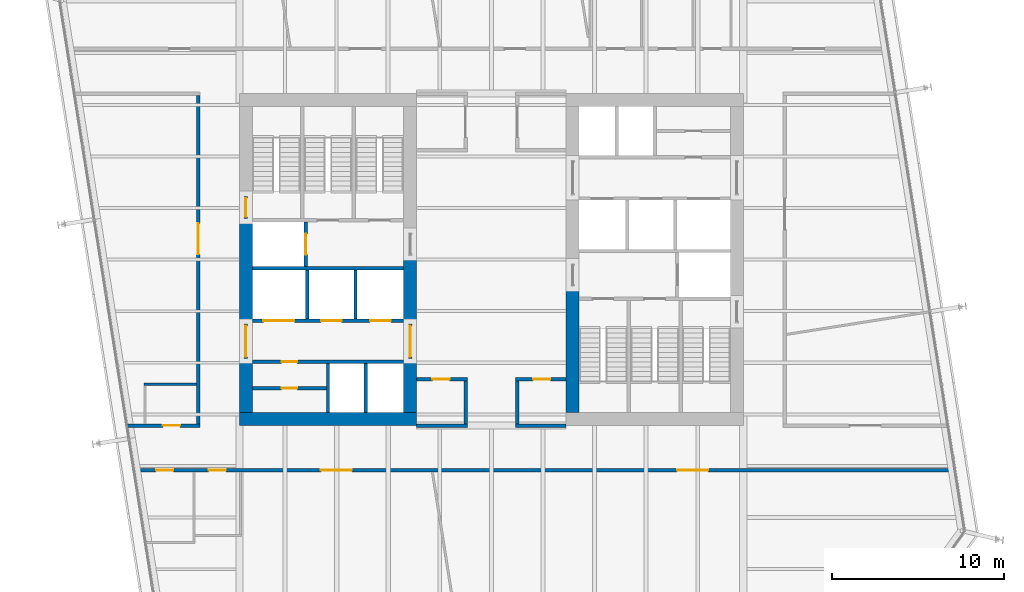
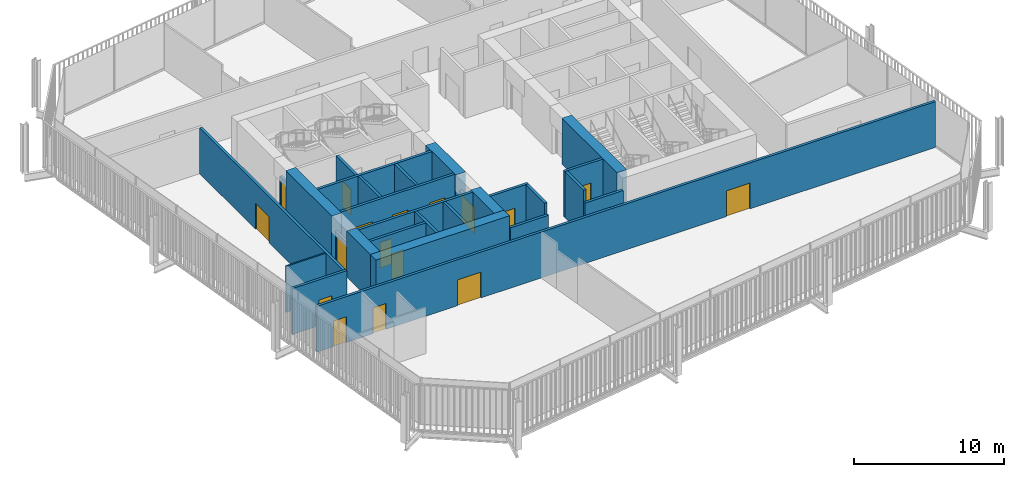
# One storey, part 17 of 21: 28 walls, 17 doors, 17 openings.
"""IFC4 building model written with IfcOpenShell, lengths in metres."""

from ifc_helpers import new_model, si_unit, direction, frame, frame_2d, origin, place, context, subcontext, project, spatial, rectangle, extrude, material, layer, layer_set, type_object, element, fill, save


model = new_model("IFC4")

# Units and contexts
model_context = context("Model", 3, precision=1e-05, world=origin(), true_north=direction((0.0, 1.0)))
body_context = subcontext(model_context, "Body", "Model", "MODEL_VIEW")
ifc_project = project(units=[si_unit("LENGTHUNIT", "METRE"), si_unit("AREAUNIT", "SQUARE_METRE"), si_unit("VOLUMEUNIT", "CUBIC_METRE"), si_unit("PLANEANGLEUNIT", "RADIAN"), si_unit("MASSUNIT", "GRAM", prefix="KILO")], contexts=[model_context])

# Site, building, storey
site_placement = place(None, origin())
site = spatial("IfcSite", under=ifc_project, at=site_placement, CompositionType="ELEMENT")
building_placement = place(site_placement, origin())
building = spatial("IfcBuilding", under=site, at=building_placement, Name="Millrace Tower", CompositionType="ELEMENT")
storey_placement = place(building_placement, frame((0.0, 0.0, 156.800048828125)))
storey = spatial("IfcBuildingStorey", under=building, at=storey_placement, Name="L35", CompositionType="ELEMENT", Elevation=156.800048828125)

# Walls
ifc_material_1 = material(Name="Concrete C70", Category="concrete")
ifc_layer_1 = layer(ifc_material_1, 0.75)
ifc_layer_set_1 = layer_set([ifc_layer_1], Name="Concrete C70")
wall_type_1 = type_object("IfcWallType", Name="Core wall 750 Concrete C70", PredefinedType="SHEAR", material=ifc_layer_set_1)
wall_1_placement = place(storey_placement, frame((-14.64990234375, -9.27490234375, 0.0), z_axis=(0.0, 0.0, 1.0), x_axis=(1.0, 0.0, 0.0)))
element("IfcWall", 1, at=wall_1_placement, inside=storey, type_object=wall_type_1, Name="Core wall W L35", PredefinedType="SHEAR", context=body_context, shape_type="SweptSolid", body=[
    extrude(rectangle(XDim=10.2998046875, YDim=0.75, at=frame_2d((5.14990234375, 0.0))), origin(), (0.0, 0.0, 1.0), 3.739990234375),
])
wall_2_placement = place(storey_placement, frame((-14.27490234375, -8.89990234375, 0.0), z_axis=(0.0, 0.0, 1.0), x_axis=(0.0, 1.0, 0.0)))
element("IfcWall", 2, at=wall_2_placement, inside=storey, type_object=wall_type_1, Name="Core wall W L35", PredefinedType="SHEAR", context=body_context, shape_type="SweptSolid", body=[
    extrude(rectangle(XDim=3.14990234375, YDim=0.75, at=frame_2d((1.574951171875, 0.0))), origin(), (0.0, 0.0, 1.0), 3.739990234375),
])
wall_3_placement = place(storey_placement, frame((-14.27490234375, -3.75, 0.0), z_axis=(0.0, 0.0, 1.0), x_axis=(0.0, 1.0, 0.0)))
element("IfcWall", 3, at=wall_3_placement, inside=storey, type_object=wall_type_1, Name="Core wall W L35", PredefinedType="SHEAR", context=body_context, shape_type="SweptSolid", body=[
    extrude(rectangle(XDim=6.1298828125, YDim=0.75, at=frame_2d((3.06494140625, 0.0))), origin(), (0.0, 0.0, 1.0), 3.739990234375),
])
wall_4_placement = place(storey_placement, frame((-4.72509765625, -8.89990234375, 0.0), z_axis=(0.0, 0.0, 1.0), x_axis=(0.0, 1.0, 0.0)))
element("IfcWall", 4, at=wall_4_placement, inside=storey, type_object=wall_type_1, Name="Core wall W L35", PredefinedType="SHEAR", context=body_context, shape_type="SweptSolid", body=[
    extrude(rectangle(XDim=3.14990234375, YDim=0.75, at=frame_2d((1.574951171875, 0.0))), origin(), (0.0, 0.0, 1.0), 3.739990234375),
])
wall_5_placement = place(storey_placement, frame((-4.72509765625, -3.75, 0.0), z_axis=(0.0, 0.0, 1.0), x_axis=(0.0, 1.0, 0.0)))
element("IfcWall", 5, at=wall_5_placement, inside=storey, type_object=wall_type_1, Name="Core wall W L35", PredefinedType="SHEAR", context=body_context, shape_type="SweptSolid", body=[
    extrude(rectangle(XDim=4.0, YDim=0.75, at=frame_2d((2.0, 0.0))), origin(), (0.0, 0.0, 1.0), 3.739990234375),
])
wall_6_placement = place(storey_placement, frame((4.72509765625, -1.550048828125, 0.0), z_axis=(0.0, 0.0, 1.0), x_axis=(0.0, -1.0, 0.0)))
element("IfcWall", 6, at=wall_6_placement, inside=storey, type_object=wall_type_1, Name="Core wall E L35", PredefinedType="SHEAR", context=body_context, shape_type="SweptSolid", body=[
    extrude(rectangle(XDim=7.349853515625, YDim=0.75, at=frame_2d((3.6748046875, 0.0))), origin(), (0.0, 0.0, 1.0), 3.739990234375),
])

# Wall, openings, doors
ifc_material_2 = material(Name="Masonry partition, fire-rated", Category="masonry")
ifc_layer_2 = layer(ifc_material_2, 0.199951171875)
ifc_layer_set_2 = layer_set([ifc_layer_2], Name="Masonry partition, fire-rated")
wall_type_2 = type_object("IfcWallType", Name="Corridor wall 200", PredefinedType="PARTITIONING", material=ifc_layer_set_2)
wall_7_placement = place(storey_placement, frame((-20.738525390625, -12.25, 0.0), z_axis=(0.0, 0.0, 1.0), x_axis=(1.0, 0.0, 0.0)))
wall_7 = element("IfcWall", 7, at=wall_7_placement, inside=storey, type_object=wall_type_2, Name="Corridor wall L35", PredefinedType="PARTITIONING", context=body_context, shape_type="SweptSolid", body=[
    extrude(rectangle(XDim=47.646484375, YDim=0.199951171875, at=frame_2d((23.8232421875, 0.0))), origin(), (0.0, 0.0, 1.0), 3.739990234375),
])
opening_1_placement = place(wall_7_placement, frame((10.821533203125, 0.0, 0.0)))
opening_1 = element("IfcOpeningElement", 8, at=opening_1_placement, cuts=wall_7, Name="Opening 35-P014", PredefinedType="OPENING", context=body_context, shape_type="SweptSolid", body=[
    extrude(rectangle(XDim=1.800048828125, YDim=2.10009765625, at=frame_2d((0.89990234375, 1.050048828125))), frame((0.0, 0.10986328125, 0.0), z_axis=(0.0, -1.0, 0.0), x_axis=(1.0, 0.0, 0.0)), (0.0, 0.0, 1.0), 0.219970703125),
])
opening_2_placement = place(wall_7_placement, frame((1.25048828125, 0.0, 0.0)))
opening_2 = element("IfcOpeningElement", 9, at=opening_2_placement, cuts=wall_7, Name="Opening 35-P015", PredefinedType="OPENING", context=body_context, shape_type="SweptSolid", body=[
    extrude(rectangle(XDim=1.0, YDim=2.10009765625, at=frame_2d((0.5, 1.050048828125))), frame((0.0, 0.10986328125, 0.0), z_axis=(0.0, -1.0, 0.0), x_axis=(1.0, 0.0, 0.0)), (0.0, 0.0, 1.0), 0.219970703125),
])
opening_3_placement = place(wall_7_placement, frame((4.300537109375, 0.0, 0.0)))
opening_3 = element("IfcOpeningElement", 10, at=opening_3_placement, cuts=wall_7, Name="Opening 35-P016", PredefinedType="OPENING", context=body_context, shape_type="SweptSolid", body=[
    extrude(rectangle(XDim=1.0, YDim=2.10009765625, at=frame_2d((0.5, 1.050048828125))), frame((0.0, 0.10986328125, 0.0), z_axis=(0.0, -1.0, 0.0), x_axis=(1.0, 0.0, 0.0)), (0.0, 0.0, 1.0), 0.219970703125),
])
opening_4_placement = place(wall_7_placement, frame((31.5439453125, 0.0, 0.0)))
opening_4 = element("IfcOpeningElement", 11, at=opening_4_placement, cuts=wall_7, Name="Opening 35-P017", PredefinedType="OPENING", context=body_context, shape_type="SweptSolid", body=[
    extrude(rectangle(XDim=1.800048828125, YDim=2.10009765625, at=frame_2d((0.89990234375, 1.050048828125))), frame((0.0, 0.10986328125, 0.0), z_axis=(0.0, -1.0, 0.0), x_axis=(1.0, 0.0, 0.0)), (0.0, 0.0, 1.0), 0.219970703125),
])
ifc_material_3 = material(Name="Steel door set, fire-rated", Category="steel")
door_type_1 = type_object("IfcDoorType", Name="Corridor door 1000 x 2100", OperationType="SINGLE_SWING_LEFT", PredefinedType="DOOR", material=ifc_material_3)
door_1_placement = place(opening_2_placement, frame((1.0, 0.0, 0.0), z_axis=(0.0, 0.0, 1.0), x_axis=(-1.0, 0.0, 0.0)))
door_1 = element("IfcDoor", 12, at=door_1_placement, inside=storey, type_object=door_type_1, Name="Door 35-P015", OperationType="SINGLE_SWING_RIGHT", OverallHeight=2.10009765625, OverallWidth=1.0, PredefinedType="DOOR", context=body_context, shape_type="SweptSolid", body=[
    extrude(rectangle(XDim=1.0, YDim=2.10009765625, at=frame_2d((0.5, 1.050048828125))), frame((0.0, 0.02490234375, 0.0), z_axis=(0.0, -1.0, 0.0), x_axis=(1.0, 0.0, 0.0)), (0.0, 0.0, 1.0), 0.050048828125),
])
fill(opening_2, door_1)
door_2_placement = place(opening_3_placement, frame((1.0, 0.0, 0.0), z_axis=(0.0, 0.0, 1.0), x_axis=(-1.0, 0.0, 0.0)))
door_2 = element("IfcDoor", 13, at=door_2_placement, inside=storey, type_object=door_type_1, Name="Door 35-P016", OperationType="SINGLE_SWING_RIGHT", OverallHeight=2.10009765625, OverallWidth=1.0, PredefinedType="DOOR", context=body_context, shape_type="SweptSolid", body=[
    extrude(rectangle(XDim=1.0, YDim=2.10009765625, at=frame_2d((0.5, 1.050048828125))), frame((0.0, 0.02490234375, 0.0), z_axis=(0.0, -1.0, 0.0), x_axis=(1.0, 0.0, 0.0)), (0.0, 0.0, 1.0), 0.050048828125),
])
fill(opening_3, door_2)
ifc_material_4 = material(Name="Steel door set, fire-rated", Category="steel")
door_type_2 = type_object("IfcDoorType", Name="Corridor door 1800 x 2100", OperationType="DOUBLE_DOOR_SINGLE_SWING", PredefinedType="DOOR", material=ifc_material_4)
door_3_placement = place(opening_1_placement, origin())
door_3 = element("IfcDoor", 14, at=door_3_placement, inside=storey, type_object=door_type_2, Name="Door 35-P014", OperationType="DOUBLE_DOOR_SINGLE_SWING", OverallHeight=2.10009765625, OverallWidth=1.800048828125, PredefinedType="DOOR", context=body_context, shape_type="SweptSolid", body=[
    extrude(rectangle(XDim=1.800048828125, YDim=2.10009765625, at=frame_2d((0.89990234375, 1.050048828125))), frame((0.0, 0.02490234375, 0.0), z_axis=(0.0, -1.0, 0.0), x_axis=(1.0, 0.0, 0.0)), (0.0, 0.0, 1.0), 0.050048828125),
])
fill(opening_1, door_3)
door_4_placement = place(opening_4_placement, origin())
door_4 = element("IfcDoor", 15, at=door_4_placement, inside=storey, type_object=door_type_2, Name="Door 35-P017", OperationType="DOUBLE_DOOR_SINGLE_SWING", OverallHeight=2.10009765625, OverallWidth=1.800048828125, PredefinedType="DOOR", context=body_context, shape_type="SweptSolid", body=[
    extrude(rectangle(XDim=1.800048828125, YDim=2.10009765625, at=frame_2d((0.89990234375, 1.050048828125))), frame((0.0, 0.02490234375, 0.0), z_axis=(0.0, -1.0, 0.0), x_axis=(1.0, 0.0, 0.0)), (0.0, 0.0, 1.0), 0.050048828125),
])
fill(opening_4, door_4)

# Wall, opening, door
wall_8_placement = place(storey_placement, frame((-21.150390625, -9.64990234375, 0.0), z_axis=(0.0, 0.0, 1.0), x_axis=(1.0, 0.0, 0.0)))
wall_8 = element("IfcWall", 16, at=wall_8_placement, inside=storey, type_object=wall_type_2, Name="Corridor wall L35", PredefinedType="PARTITIONING", context=body_context, shape_type="SweptSolid", body=[
    extrude(rectangle(XDim=4.200439453125, YDim=0.199951171875, at=frame_2d((2.10009765625, 0.0))), origin(), (0.0, 0.0, 1.0), 3.739990234375),
])
opening_5_placement = place(wall_8_placement, frame((2.05029296875, 0.0, 0.0)))
opening_5 = element("IfcOpeningElement", 17, at=opening_5_placement, cuts=wall_8, Name="Opening 35-P019", PredefinedType="OPENING", context=body_context, shape_type="SweptSolid", body=[
    extrude(rectangle(XDim=1.0, YDim=2.10009765625, at=frame_2d((0.5, 1.050048828125))), frame((0.0, 0.10986328125, 0.0), z_axis=(0.0, -1.0, 0.0), x_axis=(1.0, 0.0, 0.0)), (0.0, 0.0, 1.0), 0.219970703125),
])
door_5_placement = place(opening_5_placement, origin())
door_5 = element("IfcDoor", 18, at=door_5_placement, inside=storey, type_object=door_type_1, Name="Door 35-P019", OperationType="SINGLE_SWING_RIGHT", OverallHeight=2.10009765625, OverallWidth=1.0, PredefinedType="DOOR", context=body_context, shape_type="SweptSolid", body=[
    extrude(rectangle(XDim=1.0, YDim=2.10009765625, at=frame_2d((0.5, 1.050048828125))), frame((0.0, 0.02490234375, 0.0), z_axis=(0.0, -1.0, 0.0), x_axis=(1.0, 0.0, 0.0)), (0.0, 0.0, 1.0), 0.050048828125),
])
fill(opening_5, door_5)

# Walls
for number, where, z_axis, x_axis, name in (
    (19, (-4.35009765625, -9.64990234375, 0.0), (0.0, 0.0, 1.0), (1.0, 0.0, 0.0), "Corridor wall L35"),
    (20, (1.39990234375, -9.64990234375, 0.0), (0.0, 0.0, 1.0), (1.0, 0.0, 0.0), "Corridor wall L35"),
):
    element("IfcWall", number, at=place(storey_placement, frame(where, z_axis=z_axis, x_axis=x_axis)), inside=storey, type_object=wall_type_2, Name=name, PredefinedType="PARTITIONING", context=body_context, shape_type="SweptSolid", body=[
        extrude(rectangle(XDim=2.9501953125, YDim=0.199951171875, at=frame_2d((1.47509765625, 0.0))), origin(), (0.0, 0.0, 1.0), 2.812744140625),
    ])

# Wall, opening, door
wall_9_placement = place(storey_placement, frame((-4.35009765625, -6.949951171875, 0.0), z_axis=(0.0, 0.0, 1.0), x_axis=(1.0, 0.0, 0.0)))
wall_9 = element("IfcWall", 21, at=wall_9_placement, inside=storey, type_object=wall_type_2, Name="Corridor wall L35", PredefinedType="PARTITIONING", context=body_context, shape_type="SweptSolid", body=[
    extrude(rectangle(XDim=2.9501953125, YDim=0.199951171875, at=frame_2d((1.47509765625, 0.0))), origin(), (0.0, 0.0, 1.0), 3.739990234375),
])
opening_6_placement = place(wall_9_placement, frame((0.925048828125, 0.0, 0.0)))
opening_6 = element("IfcOpeningElement", 22, at=opening_6_placement, cuts=wall_9, Name="Opening 35-P003", PredefinedType="OPENING", context=body_context, shape_type="SweptSolid", body=[
    extrude(rectangle(XDim=1.0, YDim=2.10009765625, at=frame_2d((0.5, 1.050048828125))), frame((0.0, 0.10986328125, 0.0), z_axis=(0.0, -1.0, 0.0), x_axis=(1.0, 0.0, 0.0)), (0.0, 0.0, 1.0), 0.219970703125),
])
door_6_placement = place(opening_6_placement, frame((1.0, 0.0, 0.0), z_axis=(0.0, 0.0, 1.0), x_axis=(-1.0, 0.0, 0.0)))
door_6 = element("IfcDoor", 23, at=door_6_placement, inside=storey, type_object=door_type_1, Name="Door 35-P003", OperationType="SINGLE_SWING_LEFT", OverallHeight=2.10009765625, OverallWidth=1.0, PredefinedType="DOOR", context=body_context, shape_type="SweptSolid", body=[
    extrude(rectangle(XDim=1.0, YDim=2.10009765625, at=frame_2d((0.5, 1.050048828125))), frame((0.0, 0.02490234375, 0.0), z_axis=(0.0, -1.0, 0.0), x_axis=(1.0, 0.0, 0.0)), (0.0, 0.0, 1.0), 0.050048828125),
])
fill(opening_6, door_6)

wall_10_placement = place(storey_placement, frame((1.39990234375, -6.949951171875, 0.0), z_axis=(0.0, 0.0, 1.0), x_axis=(1.0, 0.0, 0.0)))
wall_10 = element("IfcWall", 24, at=wall_10_placement, inside=storey, type_object=wall_type_2, Name="Corridor wall L35", PredefinedType="PARTITIONING", context=body_context, shape_type="SweptSolid", body=[
    extrude(rectangle(XDim=2.9501953125, YDim=0.199951171875, at=frame_2d((1.47509765625, 0.0))), origin(), (0.0, 0.0, 1.0), 3.739990234375),
])
opening_7_placement = place(wall_10_placement, frame((1.02490234375, 0.0, 0.0)))
opening_7 = element("IfcOpeningElement", 25, at=opening_7_placement, cuts=wall_10, Name="Opening 35-P004", PredefinedType="OPENING", context=body_context, shape_type="SweptSolid", body=[
    extrude(rectangle(XDim=1.0, YDim=2.10009765625, at=frame_2d((0.5, 1.050048828125))), frame((0.0, 0.10986328125, 0.0), z_axis=(0.0, -1.0, 0.0), x_axis=(1.0, 0.0, 0.0)), (0.0, 0.0, 1.0), 0.219970703125),
])
door_7_placement = place(opening_7_placement, frame((1.0, 0.0, 0.0), z_axis=(0.0, 0.0, 1.0), x_axis=(-1.0, 0.0, 0.0)))
door_7 = element("IfcDoor", 26, at=door_7_placement, inside=storey, type_object=door_type_1, Name="Door 35-P004", OperationType="SINGLE_SWING_LEFT", OverallHeight=2.10009765625, OverallWidth=1.0, PredefinedType="DOOR", context=body_context, shape_type="SweptSolid", body=[
    extrude(rectangle(XDim=1.0, YDim=2.10009765625, at=frame_2d((0.5, 1.050048828125))), frame((0.0, 0.02490234375, 0.0), z_axis=(0.0, -1.0, 0.0), x_axis=(1.0, 0.0, 0.0)), (0.0, 0.0, 1.0), 0.050048828125),
])
fill(opening_7, door_7)

# Walls
for number, where, z_axis, x_axis, name in (
    (27, (1.5, -9.550048828125, 0.0), (0.0, 0.0, 1.0), (0.0, 1.0, 0.0), "Corridor wall L35"),
    (28, (-1.5, -9.550048828125, 0.0), (0.0, 0.0, 1.0), (0.0, 1.0, 0.0), "Corridor wall L35"),
):
    element("IfcWall", number, at=place(storey_placement, frame(where, z_axis=z_axis, x_axis=x_axis)), inside=storey, type_object=wall_type_2, Name=name, PredefinedType="PARTITIONING", context=body_context, shape_type="SweptSolid", body=[
        extrude(rectangle(XDim=2.5, YDim=0.199951171875, at=frame_2d((1.25, 0.0))), origin(), (0.0, 0.0, 1.0), 3.739990234375),
    ])

# Wall, opening, door
wall_11_placement = place(storey_placement, frame((-17.050048828125, -9.550048828125, 0.0), z_axis=(0.0, 0.0, 1.0), x_axis=(0.0, 1.0, 0.0)))
wall_11 = element("IfcWall", 29, at=wall_11_placement, inside=storey, type_object=wall_type_2, Name="Corridor wall L35", PredefinedType="PARTITIONING", context=body_context, shape_type="SweptSolid", body=[
    extrude(rectangle(XDim=19.10009765625, YDim=0.199951171875, at=frame_2d((9.550048828125, 0.0))), origin(), (0.0, 0.0, 1.0), 3.739990234375),
])
opening_8_placement = place(wall_11_placement, frame((9.85009765625, 0.0, 0.0)))
opening_8 = element("IfcOpeningElement", 30, at=opening_8_placement, cuts=wall_11, Name="Opening 35-P018", PredefinedType="OPENING", context=body_context, shape_type="SweptSolid", body=[
    extrude(rectangle(XDim=1.800048828125, YDim=2.10009765625, at=frame_2d((0.89990234375, 1.050048828125))), frame((0.0, 0.10986328125, 0.0), z_axis=(0.0, -1.0, 0.0), x_axis=(1.0, 0.0, 0.0)), (0.0, 0.0, 1.0), 0.219970703125),
])
door_8_placement = place(opening_8_placement, origin())
door_8 = element("IfcDoor", 31, at=door_8_placement, inside=storey, type_object=door_type_2, Name="Door 35-P018", OperationType="DOUBLE_DOOR_SINGLE_SWING", OverallHeight=2.10009765625, OverallWidth=1.800048828125, PredefinedType="DOOR", context=body_context, shape_type="SweptSolid", body=[
    extrude(rectangle(XDim=1.800048828125, YDim=2.10009765625, at=frame_2d((0.89990234375, 1.050048828125))), frame((0.0, 0.02490234375, 0.0), z_axis=(0.0, -1.0, 0.0), x_axis=(1.0, 0.0, 0.0)), (0.0, 0.0, 1.0), 0.050048828125),
])
fill(opening_8, door_8)

ifc_material_5 = material(Name="Masonry partition, fire-rated", Category="masonry")
ifc_layer_3 = layer(ifc_material_5, 0.199951171875)
ifc_layer_set_3 = layer_set([ifc_layer_3], Name="Masonry partition, fire-rated")
wall_type_3 = type_object("IfcWallType", Name="Lift shaft wall 200", PredefinedType="PARTITIONING", material=ifc_layer_set_3)
wall_12_placement = place(storey_placement, frame((-13.89990234375, -5.949951171875, 0.0), z_axis=(0.0, 0.0, 1.0), x_axis=(1.0, 0.0, 0.0)))
wall_12 = element("IfcWall", 32, at=wall_12_placement, inside=storey, type_object=wall_type_3, Name="Lift shaft wall W L35", PredefinedType="PARTITIONING", context=body_context, shape_type="SweptSolid", body=[
    extrude(rectangle(XDim=8.7998046875, YDim=0.199951171875, at=frame_2d((4.39990234375, 0.0))), origin(), (0.0, 0.0, 1.0), 3.739990234375),
])
opening_9_placement = place(wall_12_placement, frame((1.699951171875, 0.0, 0.0)))
opening_9 = element("IfcOpeningElement", 33, at=opening_9_placement, cuts=wall_12, Name="Opening 35-C005", PredefinedType="OPENING", context=body_context, shape_type="SweptSolid", body=[
    extrude(rectangle(XDim=0.89990234375, YDim=2.10009765625, at=frame_2d((0.449951171875, 1.050048828125))), frame((0.0, 0.10986328125, 0.0), z_axis=(0.0, -1.0, 0.0), x_axis=(1.0, 0.0, 0.0)), (0.0, 0.0, 1.0), 0.219970703125),
])
ifc_material_6 = material(Name="Steel door, fire-rated", Category="steel")
door_type_3 = type_object("IfcDoorType", Name="Service room door 900 x 2100", OperationType="SINGLE_SWING_LEFT", PredefinedType="DOOR", material=ifc_material_6)
door_9_placement = place(opening_9_placement, origin())
door_9 = element("IfcDoor", 34, at=door_9_placement, inside=storey, type_object=door_type_3, Name="Service room door 35-C005", OperationType="SINGLE_SWING_LEFT", OverallHeight=2.10009765625, OverallWidth=0.89990234375, PredefinedType="DOOR", context=body_context, shape_type="SweptSolid", body=[
    extrude(rectangle(XDim=0.89990234375, YDim=2.10009765625, at=frame_2d((0.449951171875, 1.050048828125))), frame((0.0, 0.02490234375, 0.0), z_axis=(0.0, -1.0, 0.0), x_axis=(1.0, 0.0, 0.0)), (0.0, 0.0, 1.0), 0.050048828125),
])
fill(opening_9, door_9)

# Wall, openings, doors
wall_13_placement = place(storey_placement, frame((-13.89990234375, -3.550048828125, 0.0), z_axis=(0.0, 0.0, 1.0), x_axis=(1.0, 0.0, 0.0)))
wall_13 = element("IfcWall", 35, at=wall_13_placement, inside=storey, type_object=wall_type_3, Name="Lift shaft wall W L35", PredefinedType="PARTITIONING", context=body_context, shape_type="SweptSolid", body=[
    extrude(rectangle(XDim=8.7998046875, YDim=0.199951171875, at=frame_2d((4.39990234375, 0.0))), origin(), (0.0, 0.0, 1.0), 3.739990234375),
])
opening_10_placement = place(wall_13_placement, frame((0.64990234375, 0.0, 0.0)))
opening_10 = element("IfcOpeningElement", 36, at=opening_10_placement, cuts=wall_13, Name="Opening 35-LD05", PredefinedType="OPENING", context=body_context, shape_type="SweptSolid", body=[
    extrude(rectangle(XDim=1.800048828125, YDim=2.10009765625, at=frame_2d((0.89990234375, 1.050048828125))), frame((0.0, 0.10986328125, 0.0), z_axis=(0.0, -1.0, 0.0), x_axis=(1.0, 0.0, 0.0)), (0.0, 0.0, 1.0), 0.219970703125),
])
opening_11_placement = place(wall_13_placement, frame((4.0, 0.0, 0.0)))
opening_11 = element("IfcOpeningElement", 37, at=opening_11_placement, cuts=wall_13, Name="Opening 35-LD06", PredefinedType="OPENING", context=body_context, shape_type="SweptSolid", body=[
    extrude(rectangle(XDim=1.199951171875, YDim=2.10009765625, at=frame_2d((0.60009765625, 1.050048828125))), frame((0.0, 0.10986328125, 0.0), z_axis=(0.0, -1.0, 0.0), x_axis=(1.0, 0.0, 0.0)), (0.0, 0.0, 1.0), 0.219970703125),
])
opening_12_placement = place(wall_13_placement, frame((6.85009765625, 0.0, 0.0)))
opening_12 = element("IfcOpeningElement", 38, at=opening_12_placement, cuts=wall_13, Name="Opening 35-LD07", PredefinedType="OPENING", context=body_context, shape_type="SweptSolid", body=[
    extrude(rectangle(XDim=1.199951171875, YDim=2.10009765625, at=frame_2d((0.60009765625, 1.050048828125))), frame((0.0, 0.10986328125, 0.0), z_axis=(0.0, -1.0, 0.0), x_axis=(1.0, 0.0, 0.0)), (0.0, 0.0, 1.0), 0.219970703125),
])
ifc_material_7 = material(Name="Stainless steel, fire-rated", Category="steel")
door_type_4 = type_object("IfcDoorType", Name="Lift landing door 1200 x 2100", OperationType="DOUBLE_DOOR_SLIDING", PredefinedType="DOOR", material=ifc_material_7)
door_10_placement = place(opening_11_placement, origin())
door_10 = element("IfcDoor", 39, at=door_10_placement, inside=storey, type_object=door_type_4, Name="Lift landing door LF6 L35", OperationType="DOUBLE_DOOR_SLIDING", OverallHeight=2.10009765625, OverallWidth=1.199951171875, PredefinedType="DOOR", context=body_context, shape_type="SweptSolid", body=[
    extrude(rectangle(XDim=1.199951171875, YDim=2.10009765625, at=frame_2d((0.60009765625, 1.050048828125))), frame((0.0, 0.02490234375, 0.0), z_axis=(0.0, -1.0, 0.0), x_axis=(1.0, 0.0, 0.0)), (0.0, 0.0, 1.0), 0.050048828125),
])
fill(opening_11, door_10)
door_11_placement = place(opening_12_placement, origin())
door_11 = element("IfcDoor", 40, at=door_11_placement, inside=storey, type_object=door_type_4, Name="Lift landing door LF7 L35", OperationType="DOUBLE_DOOR_SLIDING", OverallHeight=2.10009765625, OverallWidth=1.199951171875, PredefinedType="DOOR", context=body_context, shape_type="SweptSolid", body=[
    extrude(rectangle(XDim=1.199951171875, YDim=2.10009765625, at=frame_2d((0.60009765625, 1.050048828125))), frame((0.0, 0.02490234375, 0.0), z_axis=(0.0, -1.0, 0.0), x_axis=(1.0, 0.0, 0.0)), (0.0, 0.0, 1.0), 0.050048828125),
])
fill(opening_12, door_11)
ifc_material_8 = material(Name="Stainless steel, fire-rated", Category="steel")
door_type_5 = type_object("IfcDoorType", Name="Lift landing door 1800 x 2100", OperationType="DOUBLE_DOOR_SLIDING", PredefinedType="DOOR", material=ifc_material_8)
door_12_placement = place(opening_10_placement, origin())
door_12 = element("IfcDoor", 41, at=door_12_placement, inside=storey, type_object=door_type_5, Name="Lift landing door LF5 L35", OperationType="DOUBLE_DOOR_SLIDING", OverallHeight=2.10009765625, OverallWidth=1.800048828125, PredefinedType="DOOR", context=body_context, shape_type="SweptSolid", body=[
    extrude(rectangle(XDim=1.800048828125, YDim=2.10009765625, at=frame_2d((0.89990234375, 1.050048828125))), frame((0.0, 0.02490234375, 0.0), z_axis=(0.0, -1.0, 0.0), x_axis=(1.0, 0.0, 0.0)), (0.0, 0.0, 1.0), 0.050048828125),
])
fill(opening_10, door_12)

# Wall
wall_14_placement = place(storey_placement, frame((-13.89990234375, -0.5, 0.0), z_axis=(0.0, 0.0, 1.0), x_axis=(1.0, 0.0, 0.0)))
element("IfcWall", 42, at=wall_14_placement, inside=storey, type_object=wall_type_3, Name="Lift shaft wall W L35", PredefinedType="PARTITIONING", context=body_context, shape_type="SweptSolid", body=[
    extrude(rectangle(XDim=8.7998046875, YDim=0.199951171875, at=frame_2d((4.39990234375, 0.0))), origin(), (0.0, 0.0, 1.0), 3.739990234375),
])

# Wall, opening, door
wall_15_placement = place(storey_placement, frame((-10.800048828125, -0.39990234375, 0.0), z_axis=(0.0, 0.0, 1.0), x_axis=(0.0, 1.0, 0.0)))
wall_15 = element("IfcWall", 43, at=wall_15_placement, inside=storey, type_object=wall_type_3, Name="Lift shaft wall W L35", PredefinedType="PARTITIONING", context=body_context, shape_type="SweptSolid", body=[
    extrude(rectangle(XDim=2.579833984375, YDim=0.199951171875, at=frame_2d((1.2900390625, 0.0))), origin(), (0.0, 0.0, 1.0), 3.739990234375),
])
opening_13_placement = place(wall_15_placement, frame((0.68994140625, 0.0, 0.0)))
opening_13 = element("IfcOpeningElement", 44, at=opening_13_placement, cuts=wall_15, Name="Opening 35-LD08", PredefinedType="OPENING", context=body_context, shape_type="SweptSolid", body=[
    extrude(rectangle(XDim=1.199951171875, YDim=2.10009765625, at=frame_2d((0.60009765625, 1.050048828125))), frame((0.0, 0.10986328125, 0.0), z_axis=(0.0, -1.0, 0.0), x_axis=(1.0, 0.0, 0.0)), (0.0, 0.0, 1.0), 0.219970703125),
])
door_13_placement = place(opening_13_placement, origin())
door_13 = element("IfcDoor", 45, at=door_13_placement, inside=storey, type_object=door_type_4, Name="Lift landing door LF8 L35", OperationType="DOUBLE_DOOR_SLIDING", OverallHeight=2.10009765625, OverallWidth=1.199951171875, PredefinedType="DOOR", context=body_context, shape_type="SweptSolid", body=[
    extrude(rectangle(XDim=1.199951171875, YDim=2.10009765625, at=frame_2d((0.60009765625, 1.050048828125))), frame((0.0, 0.02490234375, 0.0), z_axis=(0.0, -1.0, 0.0), x_axis=(1.0, 0.0, 0.0)), (0.0, 0.0, 1.0), 0.050048828125),
])
fill(opening_13, door_13)

# Walls
for number, where, z_axis, x_axis, name in (
    (46, (-9.5, -8.89990234375, 0.0), (0.0, 0.0, 1.0), (0.0, 1.0, 0.0), "Lift shaft wall W L35"),
    (47, (-7.300048828125, -8.89990234375, 0.0), (0.0, 0.0, 1.0), (0.0, 1.0, 0.0), "Lift shaft wall W L35"),
    (48, (-10.699951171875, -3.449951171875, 0.0), (0.0, 0.0, 1.0), (0.0, 1.0, 0.0), "Lift shaft wall W L35"),
    (49, (-7.89990234375, -3.449951171875, 0.0), (0.0, 0.0, 1.0), (0.0, 1.0, 0.0), "Lift shaft wall W L35"),
):
    element("IfcWall", number, at=place(storey_placement, frame(where, z_axis=z_axis, x_axis=x_axis)), inside=storey, type_object=wall_type_3, Name=name, PredefinedType="PARTITIONING", context=body_context, shape_type="SweptSolid", body=[
        extrude(rectangle(XDim=2.849853515625, YDim=0.199951171875, at=frame_2d((1.4248046875, 0.0))), origin(), (0.0, 0.0, 1.0), 3.739990234375),
    ])

# Wall, opening, door
ifc_material_9 = material(Name="Masonry partition, fire-rated", Category="masonry")
ifc_layer_4 = layer(ifc_material_9, 0.199951171875)
ifc_layer_set_4 = layer_set([ifc_layer_4], Name="Masonry partition, fire-rated")
wall_type_4 = type_object("IfcWallType", Name="Lobby wall 200", PredefinedType="PARTITIONING", material=ifc_layer_set_4)
wall_16_placement = place(storey_placement, frame((-14.27490234375, -5.75, 0.0), z_axis=(0.0, 0.0, 1.0), x_axis=(0.0, 1.0, 0.0)))
wall_16 = element("IfcWall", 50, at=wall_16_placement, inside=storey, type_object=wall_type_4, Name="Lobby wall W L35", PredefinedType="PARTITIONING", context=body_context, shape_type="SweptSolid", body=[
    extrude(rectangle(XDim=2.0, YDim=0.199951171875, at=frame_2d((1.0, 0.0))), origin(), (0.0, 0.0, 1.0), 2.39990234375),
])
opening_14_placement = place(wall_16_placement, frame((0.10009765625, 0.0, 0.0)))
opening_14 = element("IfcOpeningElement", 51, at=opening_14_placement, cuts=wall_16, Name="Opening 35-C001", PredefinedType="OPENING", context=body_context, shape_type="SweptSolid", body=[
    extrude(rectangle(XDim=1.800048828125, YDim=2.10009765625, at=frame_2d((0.89990234375, 1.050048828125))), frame((0.0, 0.10986328125, 0.0), z_axis=(0.0, -1.0, 0.0), x_axis=(1.0, 0.0, 0.0)), (0.0, 0.0, 1.0), 0.219970703125),
])
ifc_material_10 = material(Name="Steel door, fire-rated", Category="steel")
door_type_6 = type_object("IfcDoorType", Name="Lobby door 1800 x 2100", OperationType="DOUBLE_DOOR_SINGLE_SWING", PredefinedType="DOOR", material=ifc_material_10)
door_14_placement = place(opening_14_placement, origin())
door_14 = element("IfcDoor", 52, at=door_14_placement, inside=storey, type_object=door_type_6, Name="Lobby door 35-C001", OperationType="DOUBLE_DOOR_SINGLE_SWING", OverallHeight=2.10009765625, OverallWidth=1.800048828125, PredefinedType="DOOR", context=body_context, shape_type="SweptSolid", body=[
    extrude(rectangle(XDim=1.800048828125, YDim=2.10009765625, at=frame_2d((0.89990234375, 1.050048828125))), frame((0.0, 0.02490234375, 0.0), z_axis=(0.0, -1.0, 0.0), x_axis=(1.0, 0.0, 0.0)), (0.0, 0.0, 1.0), 0.050048828125),
])
fill(opening_14, door_14)

wall_17_placement = place(storey_placement, frame((-4.72509765625, -5.75, 0.0), z_axis=(0.0, 0.0, 1.0), x_axis=(0.0, 1.0, 0.0)))
wall_17 = element("IfcWall", 53, at=wall_17_placement, inside=storey, type_object=wall_type_4, Name="Lobby wall W L35", PredefinedType="PARTITIONING", context=body_context, shape_type="SweptSolid", body=[
    extrude(rectangle(XDim=2.0, YDim=0.199951171875, at=frame_2d((1.0, 0.0))), origin(), (0.0, 0.0, 1.0), 2.39990234375),
])
opening_15_placement = place(wall_17_placement, frame((0.10009765625, 0.0, 0.0)))
opening_15 = element("IfcOpeningElement", 54, at=opening_15_placement, cuts=wall_17, Name="Opening 35-C003", PredefinedType="OPENING", context=body_context, shape_type="SweptSolid", body=[
    extrude(rectangle(XDim=1.800048828125, YDim=2.10009765625, at=frame_2d((0.89990234375, 1.050048828125))), frame((0.0, 0.10986328125, 0.0), z_axis=(0.0, -1.0, 0.0), x_axis=(1.0, 0.0, 0.0)), (0.0, 0.0, 1.0), 0.219970703125),
])
door_15_placement = place(opening_15_placement, origin())
door_15 = element("IfcDoor", 55, at=door_15_placement, inside=storey, type_object=door_type_6, Name="Lobby door 35-C003", OperationType="DOUBLE_DOOR_SINGLE_SWING", OverallHeight=2.10009765625, OverallWidth=1.800048828125, PredefinedType="DOOR", context=body_context, shape_type="SweptSolid", body=[
    extrude(rectangle(XDim=1.800048828125, YDim=2.10009765625, at=frame_2d((0.89990234375, 1.050048828125))), frame((0.0, 0.02490234375, 0.0), z_axis=(0.0, -1.0, 0.0), x_axis=(1.0, 0.0, 0.0)), (0.0, 0.0, 1.0), 0.050048828125),
])
fill(opening_15, door_15)

# Wall
ifc_material_11 = material(Name="Gypsum board partition")
ifc_layer_5 = layer(ifc_material_11, 0.1201171875)
ifc_layer_set_5 = layer_set([ifc_layer_5], Name="Gypsum board partition")
wall_type_5 = type_object("IfcWallType", Name="Partition wall 120", PredefinedType="PARTITIONING", material=ifc_layer_set_5)
wall_18_placement = place(storey_placement, frame((-20.2099609375, -7.25, 0.0), z_axis=(0.0, 0.0, 1.0), x_axis=(1.0, 0.0, 0.0)))
element("IfcWall", 56, at=wall_18_placement, inside=storey, type_object=wall_type_5, Name="Partition wall L35", PredefinedType="PARTITIONING", context=body_context, shape_type="SweptSolid", body=[
    extrude(rectangle(XDim=3.06005859375, YDim=0.1201171875, at=frame_2d((1.530029296875, 0.0))), origin(), (0.0, 0.0, 1.0), 3.739990234375),
])

# Wall, opening, door
ifc_material_12 = material(Name="Masonry partition, fire-rated", Category="masonry")
ifc_layer_6 = layer(ifc_material_12, 0.199951171875)
ifc_layer_set_6 = layer_set([ifc_layer_6], Name="Masonry partition, fire-rated")
wall_type_6 = type_object("IfcWallType", Name="Room partition 200", PredefinedType="PARTITIONING", material=ifc_layer_set_6)
wall_19_placement = place(storey_placement, frame((-13.89990234375, -7.47509765625, 0.0), z_axis=(0.0, 0.0, 1.0), x_axis=(1.0, 0.0, 0.0)))
wall_19 = element("IfcWall", 57, at=wall_19_placement, inside=storey, type_object=wall_type_6, Name="Room partition W L35", PredefinedType="PARTITIONING", context=body_context, shape_type="SweptSolid", body=[
    extrude(rectangle(XDim=4.2998046875, YDim=0.199951171875, at=frame_2d((2.14990234375, 0.0))), origin(), (0.0, 0.0, 1.0), 3.739990234375),
])
opening_16_placement = place(wall_19_placement, frame((1.699951171875, 0.0, 0.0)))
opening_16 = element("IfcOpeningElement", 58, at=opening_16_placement, cuts=wall_19, Name="Opening 35-C006", PredefinedType="OPENING", context=body_context, shape_type="SweptSolid", body=[
    extrude(rectangle(XDim=0.89990234375, YDim=2.10009765625, at=frame_2d((0.449951171875, 1.050048828125))), frame((0.0, 0.10986328125, 0.0), z_axis=(0.0, -1.0, 0.0), x_axis=(1.0, 0.0, 0.0)), (0.0, 0.0, 1.0), 0.219970703125),
])
door_16_placement = place(opening_16_placement, frame((0.89990234375, 0.0, 0.0), z_axis=(0.0, 0.0, 1.0), x_axis=(-1.0, 0.0, 0.0)))
door_16 = element("IfcDoor", 59, at=door_16_placement, inside=storey, type_object=door_type_3, Name="Service room door 35-C006", OperationType="SINGLE_SWING_RIGHT", OverallHeight=2.10009765625, OverallWidth=0.89990234375, PredefinedType="DOOR", context=body_context, shape_type="SweptSolid", body=[
    extrude(rectangle(XDim=0.89990234375, YDim=2.10009765625, at=frame_2d((0.449951171875, 1.050048828125))), frame((0.0, 0.02490234375, 0.0), z_axis=(0.0, -1.0, 0.0), x_axis=(1.0, 0.0, 0.0)), (0.0, 0.0, 1.0), 0.050048828125),
])
fill(opening_16, door_16)

ifc_material_13 = material(Name="Concrete C40", Category="concrete")
ifc_layer_7 = layer(ifc_material_13, 0.199951171875)
ifc_layer_set_7 = layer_set([ifc_layer_7], Name="Concrete C40")
wall_type_7 = type_object("IfcWallType", Name="Stair enclosure wall 200 Concrete C40", PredefinedType="SHEAR", material=ifc_layer_set_7)
wall_20_placement = place(storey_placement, frame((-14.27490234375, 2.3798828125, 0.0), z_axis=(0.0, 0.0, 1.0), x_axis=(0.0, 1.0, 0.0)))
wall_20 = element("IfcWall", 60, at=wall_20_placement, inside=storey, type_object=wall_type_7, Name="Stair enclosure wall W L35", PredefinedType="SHEAR", context=body_context, shape_type="SweptSolid", body=[
    extrude(rectangle(XDim=1.300048828125, YDim=0.199951171875, at=frame_2d((0.64990234375, 0.0))), origin(), (0.0, 0.0, 1.0), 2.39990234375),
])
opening_17_placement = place(wall_20_placement, frame((0.10009765625, 0.0, 0.0)))
opening_17 = element("IfcOpeningElement", 61, at=opening_17_placement, cuts=wall_20, Name="Opening 35-C002", PredefinedType="OPENING", context=body_context, shape_type="SweptSolid", body=[
    extrude(rectangle(XDim=1.10009765625, YDim=2.10009765625, at=frame_2d((0.550048828125, 1.050048828125))), frame((0.0, 0.10986328125, 0.0), z_axis=(0.0, -1.0, 0.0), x_axis=(1.0, 0.0, 0.0)), (0.0, 0.0, 1.0), 0.219970703125),
])
ifc_material_14 = material(Name="Steel door, fire-rated", Category="steel")
door_type_7 = type_object("IfcDoorType", Name="Stair door 1100 x 2100", OperationType="SINGLE_SWING_LEFT", PredefinedType="DOOR", material=ifc_material_14)
door_17_placement = place(opening_17_placement, origin())
door_17 = element("IfcDoor", 62, at=door_17_placement, inside=storey, type_object=door_type_7, Name="Stair door 35-C002", OperationType="SINGLE_SWING_LEFT", OverallHeight=2.10009765625, OverallWidth=1.10009765625, PredefinedType="DOOR", context=body_context, shape_type="SweptSolid", body=[
    extrude(rectangle(XDim=1.10009765625, YDim=2.10009765625, at=frame_2d((0.550048828125, 1.050048828125))), frame((0.0, 0.02490234375, 0.0), z_axis=(0.0, -1.0, 0.0), x_axis=(1.0, 0.0, 0.0)), (0.0, 0.0, 1.0), 0.050048828125),
])
fill(opening_17, door_17)

save(model, "model.ifc")
